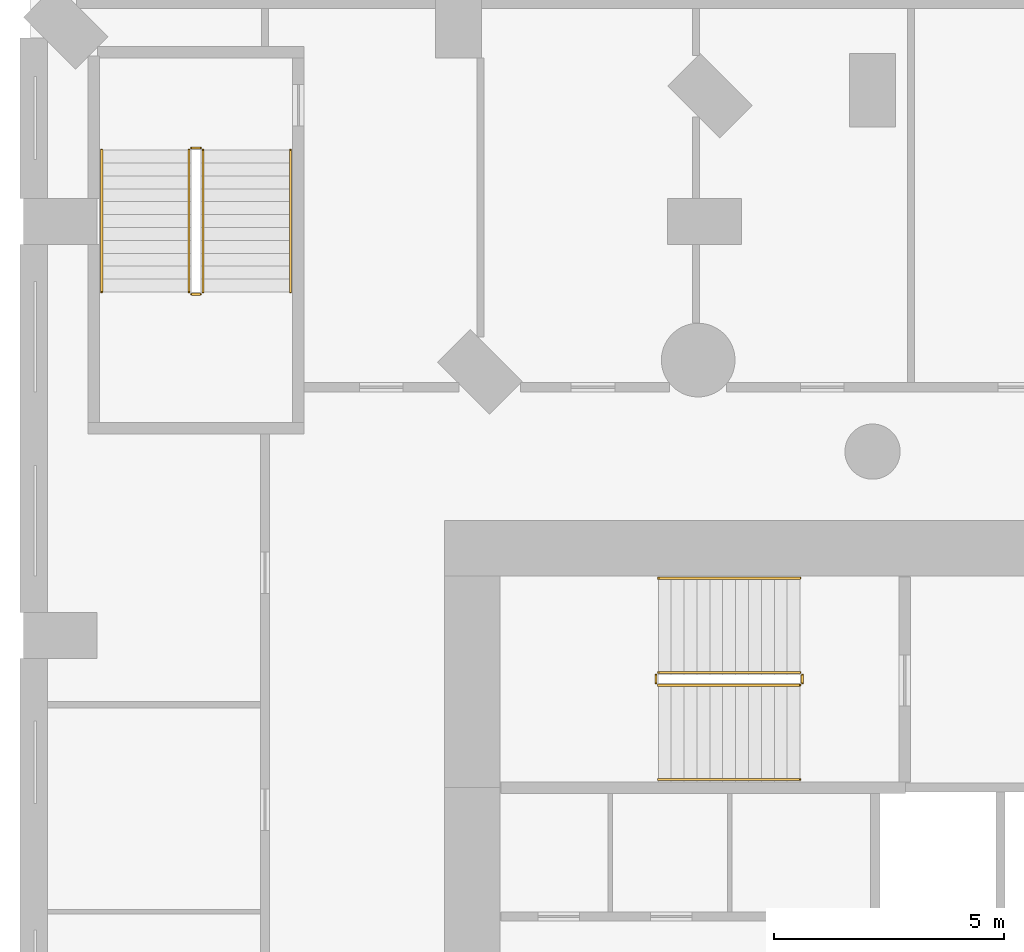
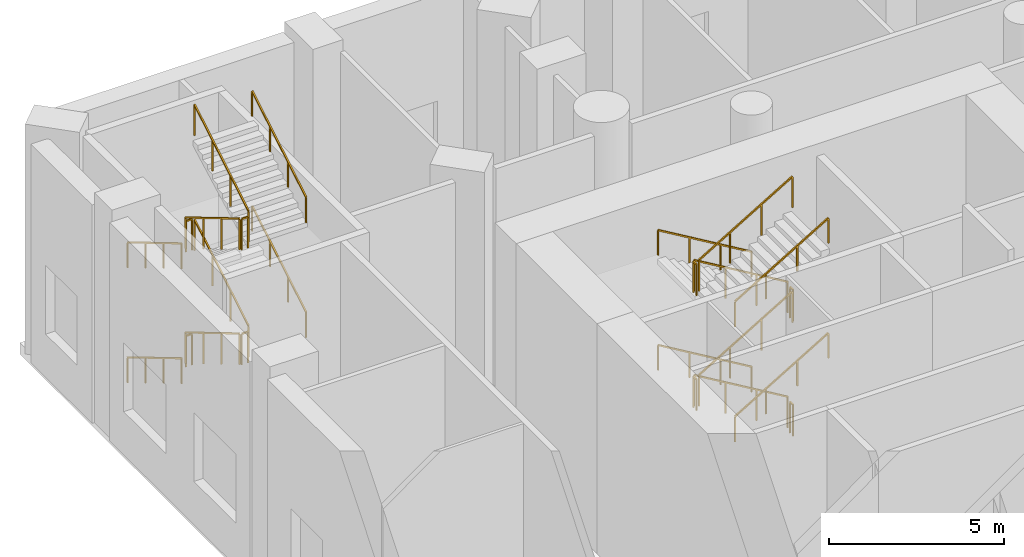
# One storey, part 17 of 18: 24 railings.
"""IFC4 building model written with IfcOpenShell, lengths in metres."""

from ifc_helpers import new_model, si_unit, direction, frame, origin, origin_2d, place, context, subcontext, project, spatial, rectangle, extrude, material, type_object, element, save


model = new_model("IFC4")

# Units and contexts
model_context = context("Model", 3, precision=1e-05, world=origin(), true_north=direction((0.0, 1.0)))
body_context = subcontext(model_context, "Body", "Model", "MODEL_VIEW")
ifc_project = project(units=[si_unit("LENGTHUNIT", "METRE"), si_unit("AREAUNIT", "SQUARE_METRE"), si_unit("VOLUMEUNIT", "CUBIC_METRE"), si_unit("PLANEANGLEUNIT", "RADIAN"), si_unit("MASSUNIT", "GRAM", prefix="KILO")], contexts=[model_context])

# Site, building, storey
site_placement = place(None, origin())
site = spatial("IfcSite", under=ifc_project, at=site_placement, CompositionType="ELEMENT")
building_placement = place(site_placement, origin())
building = spatial("IfcBuilding", under=site, at=building_placement, Name="Cypress Arch Tower", CompositionType="ELEMENT")
storey_placement = place(building_placement, frame((0.0, 0.0, 36.0)))
storey = spatial("IfcBuildingStorey", under=building, at=storey_placement, Name="L04", CompositionType="ELEMENT", Elevation=36.0)

# Railings
ifc_material_1 = material(Name="Black powder-coated steel square bar 48 mm", Category="steel")
railing_type_1 = type_object("IfcRailingType", Name="Stair handrail HR1", PredefinedType="HANDRAIL", material=ifc_material_1)
railing_1_placement = place(storey_placement, frame((-22.27490234375, 14.75, 0.166748046875)))
element("IfcRailing", 1, at=railing_1_placement, inside=storey, type_object=railing_type_1, Name="L04 B stair handrail 1", PredefinedType="HANDRAIL", context=body_context, shape_type="SweptSolid", body=[
    extrude(rectangle(XDim=0.048095703125, YDim=0.048095703125, at=origin_2d()), frame((0.0, 0.0, 0.8759765625), z_axis=(-0.859308565015, 0.0, 0.511457515432), x_axis=(0.0, -1.0, 0.0)), (0.0, 0.0, 1.0), 3.58447265625),
    extrude(rectangle(XDim=0.0419921875, YDim=0.0419921875, at=origin_2d()), origin(), (0.0, 0.0, 1.0), 0.851806640625),
    extrude(rectangle(XDim=0.0419921875, YDim=0.0419921875, at=origin_2d()), frame((-1.026611328125, 0.0, 0.611083984375)), (0.0, 0.0, 1.0), 0.851806640625),
    extrude(rectangle(XDim=0.0419921875, YDim=0.0419921875, at=origin_2d()), frame((-2.053466796875, 0.0, 1.22216796875)), (0.0, 0.0, 1.0), 0.851806640625),
    extrude(rectangle(XDim=0.0419921875, YDim=0.0419921875, at=origin_2d()), frame((-3.080078125, 0.0, 1.833251953125)), (0.0, 0.0, 1.0), 0.851806640625),
])
railing_2_placement = place(storey_placement, frame((-25.35498046875, 10.375, 2.166748046875)))
element("IfcRailing", 2, at=railing_2_placement, inside=storey, type_object=railing_type_1, Name="L04 B stair handrail 2", PredefinedType="HANDRAIL", context=body_context, shape_type="SweptSolid", body=[
    extrude(rectangle(XDim=0.048095703125, YDim=0.048095703125, at=origin_2d()), frame((0.0, 0.0, 0.8759765625), z_axis=(0.859308565015, 0.0, 0.511457515432), x_axis=(0.0, 1.0, 0.0)), (0.0, 0.0, 1.0), 3.58447265625),
    extrude(rectangle(XDim=0.0419921875, YDim=0.0419921875, at=origin_2d()), origin(), (0.0, 0.0, 1.0), 0.851806640625),
    extrude(rectangle(XDim=0.0419921875, YDim=0.0419921875, at=origin_2d()), frame((1.026611328125, 0.0, 0.611083984375)), (0.0, 0.0, 1.0), 0.851806640625),
    extrude(rectangle(XDim=0.0419921875, YDim=0.0419921875, at=origin_2d()), frame((2.053466796875, 0.0, 1.22216796875)), (0.0, 0.0, 1.0), 0.851806640625),
    extrude(rectangle(XDim=0.0419921875, YDim=0.0419921875, at=origin_2d()), frame((3.080078125, 0.0, 1.833251953125)), (0.0, 0.0, 1.0), 0.851806640625),
])
railing_3_placement = place(storey_placement, frame((-22.27490234375, 14.75, 4.166748046875)))
element("IfcRailing", 3, at=railing_3_placement, inside=storey, type_object=railing_type_1, Name="L04 B stair handrail 3", PredefinedType="HANDRAIL", context=body_context, shape_type="SweptSolid", body=[
    extrude(rectangle(XDim=0.048095703125, YDim=0.048095703125, at=origin_2d()), frame((0.0, 0.0, 0.8759765625), z_axis=(-0.859308565015, 0.0, 0.511457515432), x_axis=(0.0, -1.0, 0.0)), (0.0, 0.0, 1.0), 3.58447265625),
    extrude(rectangle(XDim=0.0419921875, YDim=0.0419921875, at=origin_2d()), origin(), (0.0, 0.0, 1.0), 0.851806640625),
    extrude(rectangle(XDim=0.0419921875, YDim=0.0419921875, at=origin_2d()), frame((-1.026611328125, 0.0, 0.611083984375)), (0.0, 0.0, 1.0), 0.851806640625),
    extrude(rectangle(XDim=0.0419921875, YDim=0.0419921875, at=origin_2d()), frame((-2.053466796875, 0.0, 1.22216796875)), (0.0, 0.0, 1.0), 0.851806640625),
    extrude(rectangle(XDim=0.0419921875, YDim=0.0419921875, at=origin_2d()), frame((-3.080078125, 0.0, 1.833251953125)), (0.0, 0.0, 1.0), 0.851806640625),
])
railing_4_placement = place(storey_placement, frame((-25.35498046875, 10.375, 6.166748046875)))
element("IfcRailing", 4, at=railing_4_placement, inside=storey, type_object=railing_type_1, Name="L04 B stair handrail 4", PredefinedType="HANDRAIL", context=body_context, shape_type="SweptSolid", body=[
    extrude(rectangle(XDim=0.048095703125, YDim=0.048095703125, at=origin_2d()), frame((0.0, 0.0, 0.8759765625), z_axis=(0.859308565015, 0.0, 0.511457515432), x_axis=(0.0, 1.0, 0.0)), (0.0, 0.0, 1.0), 3.58447265625),
    extrude(rectangle(XDim=0.0419921875, YDim=0.0419921875, at=origin_2d()), origin(), (0.0, 0.0, 1.0), 0.851806640625),
    extrude(rectangle(XDim=0.0419921875, YDim=0.0419921875, at=origin_2d()), frame((1.026611328125, 0.0, 0.611083984375)), (0.0, 0.0, 1.0), 0.851806640625),
    extrude(rectangle(XDim=0.0419921875, YDim=0.0419921875, at=origin_2d()), frame((2.053466796875, 0.0, 1.22216796875)), (0.0, 0.0, 1.0), 0.851806640625),
    extrude(rectangle(XDim=0.0419921875, YDim=0.0419921875, at=origin_2d()), frame((3.080078125, 0.0, 1.833251953125)), (0.0, 0.0, 1.0), 0.851806640625),
])
railing_5_placement = place(storey_placement, frame((-37.449951171875, 24.050048828125, 0.166748046875)))
element("IfcRailing", 5, at=railing_5_placement, inside=storey, type_object=railing_type_1, Name="L04 P2 stair handrail 1", PredefinedType="HANDRAIL", context=body_context, shape_type="SweptSolid", body=[
    extrude(rectangle(XDim=0.048095703125, YDim=0.048095703125, at=origin_2d()), frame((0.0, 0.0, 0.8759765625), z_axis=(0.0, -0.859308565015, 0.511457515432), x_axis=(1.0, 0.0, 0.0)), (0.0, 0.0, 1.0), 3.58447265625),
    extrude(rectangle(XDim=0.0419921875, YDim=0.0419921875, at=origin_2d()), origin(), (0.0, 0.0, 1.0), 0.851806640625),
    extrude(rectangle(XDim=0.0419921875, YDim=0.0419921875, at=origin_2d()), frame((0.0, -1.026611328125, 0.611083984375)), (0.0, 0.0, 1.0), 0.851806640625),
    extrude(rectangle(XDim=0.0419921875, YDim=0.0419921875, at=origin_2d()), frame((0.0, -2.053466796875, 1.22216796875)), (0.0, 0.0, 1.0), 0.851806640625),
    extrude(rectangle(XDim=0.0419921875, YDim=0.0419921875, at=origin_2d()), frame((0.0, -3.080078125, 1.833251953125)), (0.0, 0.0, 1.0), 0.851806640625),
])
railing_6_placement = place(storey_placement, frame((-33.35009765625, 20.969970703125, 2.166748046875)))
element("IfcRailing", 6, at=railing_6_placement, inside=storey, type_object=railing_type_1, Name="L04 P2 stair handrail 2", PredefinedType="HANDRAIL", context=body_context, shape_type="SweptSolid", body=[
    extrude(rectangle(XDim=0.048095703125, YDim=0.048095703125, at=origin_2d()), frame((0.0, 0.0, 0.8759765625), z_axis=(0.0, 0.859308565015, 0.511457515432), x_axis=(-1.0, 0.0, 0.0)), (0.0, 0.0, 1.0), 3.58447265625),
    extrude(rectangle(XDim=0.0419921875, YDim=0.0419921875, at=origin_2d()), origin(), (0.0, 0.0, 1.0), 0.851806640625),
    extrude(rectangle(XDim=0.0419921875, YDim=0.0419921875, at=origin_2d()), frame((0.0, 1.026611328125, 0.611083984375)), (0.0, 0.0, 1.0), 0.851806640625),
    extrude(rectangle(XDim=0.0419921875, YDim=0.0419921875, at=origin_2d()), frame((0.0, 2.053466796875, 1.22216796875)), (0.0, 0.0, 1.0), 0.851806640625),
    extrude(rectangle(XDim=0.0419921875, YDim=0.0419921875, at=origin_2d()), frame((0.0, 3.080078125, 1.833251953125)), (0.0, 0.0, 1.0), 0.851806640625),
])
railing_7_placement = place(storey_placement, frame((-37.449951171875, 24.050048828125, 4.166748046875)))
element("IfcRailing", 7, at=railing_7_placement, inside=storey, type_object=railing_type_1, Name="L04 P2 stair handrail 3", PredefinedType="HANDRAIL", context=body_context, shape_type="SweptSolid", body=[
    extrude(rectangle(XDim=0.048095703125, YDim=0.048095703125, at=origin_2d()), frame((0.0, 0.0, 0.8759765625), z_axis=(0.0, -0.859308565015, 0.511457515432), x_axis=(1.0, 0.0, 0.0)), (0.0, 0.0, 1.0), 3.58447265625),
    extrude(rectangle(XDim=0.0419921875, YDim=0.0419921875, at=origin_2d()), origin(), (0.0, 0.0, 1.0), 0.851806640625),
    extrude(rectangle(XDim=0.0419921875, YDim=0.0419921875, at=origin_2d()), frame((0.0, -1.026611328125, 0.611083984375)), (0.0, 0.0, 1.0), 0.851806640625),
    extrude(rectangle(XDim=0.0419921875, YDim=0.0419921875, at=origin_2d()), frame((0.0, -2.053466796875, 1.22216796875)), (0.0, 0.0, 1.0), 0.851806640625),
    extrude(rectangle(XDim=0.0419921875, YDim=0.0419921875, at=origin_2d()), frame((0.0, -3.080078125, 1.833251953125)), (0.0, 0.0, 1.0), 0.851806640625),
])
railing_8_placement = place(storey_placement, frame((-33.35009765625, 20.969970703125, 6.166748046875)))
element("IfcRailing", 8, at=railing_8_placement, inside=storey, type_object=railing_type_1, Name="L04 P2 stair handrail 4", PredefinedType="HANDRAIL", context=body_context, shape_type="SweptSolid", body=[
    extrude(rectangle(XDim=0.048095703125, YDim=0.048095703125, at=origin_2d()), frame((0.0, 0.0, 0.8759765625), z_axis=(0.0, 0.859308565015, 0.511457515432), x_axis=(-1.0, 0.0, 0.0)), (0.0, 0.0, 1.0), 3.58447265625),
    extrude(rectangle(XDim=0.0419921875, YDim=0.0419921875, at=origin_2d()), origin(), (0.0, 0.0, 1.0), 0.851806640625),
    extrude(rectangle(XDim=0.0419921875, YDim=0.0419921875, at=origin_2d()), frame((0.0, 1.026611328125, 0.611083984375)), (0.0, 0.0, 1.0), 0.851806640625),
    extrude(rectangle(XDim=0.0419921875, YDim=0.0419921875, at=origin_2d()), frame((0.0, 2.053466796875, 1.22216796875)), (0.0, 0.0, 1.0), 0.851806640625),
    extrude(rectangle(XDim=0.0419921875, YDim=0.0419921875, at=origin_2d()), frame((0.0, 3.080078125, 1.833251953125)), (0.0, 0.0, 1.0), 0.851806640625),
])
ifc_material_2 = material(Name="Black powder-coated steel balusters", Category="steel")
railing_type_2 = type_object("IfcRailingType", Name="Stair well guard G1", PredefinedType="GUARDRAIL", material=ifc_material_2)
railing_9_placement = place(storey_placement, frame((-22.27490234375, 12.699951171875, 0.166748046875)))
element("IfcRailing", 9, at=railing_9_placement, inside=storey, type_object=railing_type_2, Name="L04 B stair guard 1", PredefinedType="GUARDRAIL", context=body_context, shape_type="SweptSolid", body=[
    extrude(rectangle(XDim=0.048095703125, YDim=0.048095703125, at=origin_2d()), frame((0.0, 0.0, 1.076171875), z_axis=(-0.859308565015, 0.0, 0.511457515432), x_axis=(0.0, -1.0, 0.0)), (0.0, 0.0, 1.0), 3.58447265625),
    extrude(rectangle(XDim=0.0419921875, YDim=0.0419921875, at=origin_2d()), origin(), (0.0, 0.0, 1.0), 1.052001953125),
    extrude(rectangle(XDim=0.0419921875, YDim=0.0419921875, at=origin_2d()), frame((-1.026611328125, 0.0, 0.611083984375)), (0.0, 0.0, 1.0), 1.052001953125),
    extrude(rectangle(XDim=0.0419921875, YDim=0.0419921875, at=origin_2d()), frame((-2.053466796875, 0.0, 1.22216796875)), (0.0, 0.0, 1.0), 1.052001953125),
    extrude(rectangle(XDim=0.0419921875, YDim=0.0419921875, at=origin_2d()), frame((-3.080078125, 0.0, 1.833251953125)), (0.0, 0.0, 1.0), 1.052001953125),
])
railing_10_placement = place(storey_placement, frame((-25.405029296875, 12.64990234375, 2.0)))
element("IfcRailing", 10, at=railing_10_placement, inside=storey, type_object=railing_type_2, Name="L04 B stair guard 2", PredefinedType="GUARDRAIL", context=body_context, shape_type="SweptSolid", body=[
    extrude(rectangle(XDim=0.048095703125, YDim=0.048095703125, at=origin_2d()), frame((0.0, 0.0, 1.076171875), z_axis=(0.0, -1.0, 0.0), x_axis=(1.0, 0.0, 0.0)), (0.0, 0.0, 1.0), 0.1748046875),
    extrude(rectangle(XDim=0.0419921875, YDim=0.0419921875, at=origin_2d()), origin(), (0.0, 0.0, 1.0), 1.052001953125),
    extrude(rectangle(XDim=0.0419921875, YDim=0.0419921875, at=origin_2d()), frame((0.0, -0.1748046875, 0.0)), (0.0, 0.0, 1.0), 1.052001953125),
])
railing_11_placement = place(storey_placement, frame((-25.35498046875, 12.425048828125, 2.166748046875)))
element("IfcRailing", 11, at=railing_11_placement, inside=storey, type_object=railing_type_2, Name="L04 B stair guard 3", PredefinedType="GUARDRAIL", context=body_context, shape_type="SweptSolid", body=[
    extrude(rectangle(XDim=0.048095703125, YDim=0.048095703125, at=origin_2d()), frame((0.0, 0.0, 1.076171875), z_axis=(0.859308565015, 0.0, 0.511457515432), x_axis=(0.0, 1.0, 0.0)), (0.0, 0.0, 1.0), 3.58447265625),
    extrude(rectangle(XDim=0.0419921875, YDim=0.0419921875, at=origin_2d()), origin(), (0.0, 0.0, 1.0), 1.052001953125),
    extrude(rectangle(XDim=0.0419921875, YDim=0.0419921875, at=origin_2d()), frame((1.026611328125, 0.0, 0.611083984375)), (0.0, 0.0, 1.0), 1.052001953125),
    extrude(rectangle(XDim=0.0419921875, YDim=0.0419921875, at=origin_2d()), frame((2.053466796875, 0.0, 1.22216796875)), (0.0, 0.0, 1.0), 1.052001953125),
    extrude(rectangle(XDim=0.0419921875, YDim=0.0419921875, at=origin_2d()), frame((3.080078125, 0.0, 1.833251953125)), (0.0, 0.0, 1.0), 1.052001953125),
])
railing_12_placement = place(storey_placement, frame((-22.22509765625, 12.64990234375, 4.0)))
element("IfcRailing", 12, at=railing_12_placement, inside=storey, type_object=railing_type_2, Name="L04 B stair guard 4", PredefinedType="GUARDRAIL", context=body_context, shape_type="SweptSolid", body=[
    extrude(rectangle(XDim=0.048095703125, YDim=0.048095703125, at=origin_2d()), frame((0.0, 0.0, 1.076171875), z_axis=(0.0, -1.0, 0.0), x_axis=(1.0, 0.0, 0.0)), (0.0, 0.0, 1.0), 0.1748046875),
    extrude(rectangle(XDim=0.0419921875, YDim=0.0419921875, at=origin_2d()), origin(), (0.0, 0.0, 1.0), 1.052001953125),
    extrude(rectangle(XDim=0.0419921875, YDim=0.0419921875, at=origin_2d()), frame((0.0, -0.1748046875, 0.0)), (0.0, 0.0, 1.0), 1.052001953125),
])
railing_13_placement = place(storey_placement, frame((-22.27490234375, 12.699951171875, 4.166748046875)))
element("IfcRailing", 13, at=railing_13_placement, inside=storey, type_object=railing_type_2, Name="L04 B stair guard 5", PredefinedType="GUARDRAIL", context=body_context, shape_type="SweptSolid", body=[
    extrude(rectangle(XDim=0.048095703125, YDim=0.048095703125, at=origin_2d()), frame((0.0, 0.0, 1.076171875), z_axis=(-0.859308565015, 0.0, 0.511457515432), x_axis=(0.0, -1.0, 0.0)), (0.0, 0.0, 1.0), 3.58447265625),
    extrude(rectangle(XDim=0.0419921875, YDim=0.0419921875, at=origin_2d()), origin(), (0.0, 0.0, 1.0), 1.052001953125),
    extrude(rectangle(XDim=0.0419921875, YDim=0.0419921875, at=origin_2d()), frame((-1.026611328125, 0.0, 0.611083984375)), (0.0, 0.0, 1.0), 1.052001953125),
    extrude(rectangle(XDim=0.0419921875, YDim=0.0419921875, at=origin_2d()), frame((-2.053466796875, 0.0, 1.22216796875)), (0.0, 0.0, 1.0), 1.052001953125),
    extrude(rectangle(XDim=0.0419921875, YDim=0.0419921875, at=origin_2d()), frame((-3.080078125, 0.0, 1.833251953125)), (0.0, 0.0, 1.0), 1.052001953125),
])
railing_14_placement = place(storey_placement, frame((-25.405029296875, 12.64990234375, 6.0)))
element("IfcRailing", 14, at=railing_14_placement, inside=storey, type_object=railing_type_2, Name="L04 B stair guard 6", PredefinedType="GUARDRAIL", context=body_context, shape_type="SweptSolid", body=[
    extrude(rectangle(XDim=0.048095703125, YDim=0.048095703125, at=origin_2d()), frame((0.0, 0.0, 1.076171875), z_axis=(0.0, -1.0, 0.0), x_axis=(1.0, 0.0, 0.0)), (0.0, 0.0, 1.0), 0.1748046875),
    extrude(rectangle(XDim=0.0419921875, YDim=0.0419921875, at=origin_2d()), origin(), (0.0, 0.0, 1.0), 1.052001953125),
    extrude(rectangle(XDim=0.0419921875, YDim=0.0419921875, at=origin_2d()), frame((0.0, -0.1748046875, 0.0)), (0.0, 0.0, 1.0), 1.052001953125),
])
railing_15_placement = place(storey_placement, frame((-25.35498046875, 12.425048828125, 6.166748046875)))
element("IfcRailing", 15, at=railing_15_placement, inside=storey, type_object=railing_type_2, Name="L04 B stair guard 7", PredefinedType="GUARDRAIL", context=body_context, shape_type="SweptSolid", body=[
    extrude(rectangle(XDim=0.048095703125, YDim=0.048095703125, at=origin_2d()), frame((0.0, 0.0, 1.076171875), z_axis=(0.859308565015, 0.0, 0.511457515432), x_axis=(0.0, 1.0, 0.0)), (0.0, 0.0, 1.0), 3.58447265625),
    extrude(rectangle(XDim=0.0419921875, YDim=0.0419921875, at=origin_2d()), origin(), (0.0, 0.0, 1.0), 1.052001953125),
    extrude(rectangle(XDim=0.0419921875, YDim=0.0419921875, at=origin_2d()), frame((1.026611328125, 0.0, 0.611083984375)), (0.0, 0.0, 1.0), 1.052001953125),
    extrude(rectangle(XDim=0.0419921875, YDim=0.0419921875, at=origin_2d()), frame((2.053466796875, 0.0, 1.22216796875)), (0.0, 0.0, 1.0), 1.052001953125),
    extrude(rectangle(XDim=0.0419921875, YDim=0.0419921875, at=origin_2d()), frame((3.080078125, 0.0, 1.833251953125)), (0.0, 0.0, 1.0), 1.052001953125),
])
railing_16_placement = place(storey_placement, frame((-22.22509765625, 12.64990234375, 0.0)))
element("IfcRailing", 16, at=railing_16_placement, inside=storey, type_object=railing_type_2, Name="L04 B stair guard 8", PredefinedType="GUARDRAIL", context=body_context, shape_type="SweptSolid", body=[
    extrude(rectangle(XDim=0.048095703125, YDim=0.048095703125, at=origin_2d()), frame((0.0, 0.0, 1.076171875), z_axis=(0.0, -1.0, 0.0), x_axis=(1.0, 0.0, 0.0)), (0.0, 0.0, 1.0), 0.1748046875),
    extrude(rectangle(XDim=0.0419921875, YDim=0.0419921875, at=origin_2d()), origin(), (0.0, 0.0, 1.0), 1.052001953125),
    extrude(rectangle(XDim=0.0419921875, YDim=0.0419921875, at=origin_2d()), frame((0.0, -0.1748046875, 0.0)), (0.0, 0.0, 1.0), 1.052001953125),
])
railing_17_placement = place(storey_placement, frame((-35.550048828125, 24.050048828125, 0.166748046875)))
element("IfcRailing", 17, at=railing_17_placement, inside=storey, type_object=railing_type_2, Name="L04 P2 stair guard 1", PredefinedType="GUARDRAIL", context=body_context, shape_type="SweptSolid", body=[
    extrude(rectangle(XDim=0.048095703125, YDim=0.048095703125, at=origin_2d()), frame((0.0, 0.0, 1.076171875), z_axis=(0.0, -0.859308565015, 0.511457515432), x_axis=(1.0, 0.0, 0.0)), (0.0, 0.0, 1.0), 3.58447265625),
    extrude(rectangle(XDim=0.0419921875, YDim=0.0419921875, at=origin_2d()), origin(), (0.0, 0.0, 1.0), 1.052001953125),
    extrude(rectangle(XDim=0.0419921875, YDim=0.0419921875, at=origin_2d()), frame((0.0, -1.026611328125, 0.611083984375)), (0.0, 0.0, 1.0), 1.052001953125),
    extrude(rectangle(XDim=0.0419921875, YDim=0.0419921875, at=origin_2d()), frame((0.0, -2.053466796875, 1.22216796875)), (0.0, 0.0, 1.0), 1.052001953125),
    extrude(rectangle(XDim=0.0419921875, YDim=0.0419921875, at=origin_2d()), frame((0.0, -3.080078125, 1.833251953125)), (0.0, 0.0, 1.0), 1.052001953125),
])
railing_18_placement = place(storey_placement, frame((-35.5, 20.919921875, 2.0)))
element("IfcRailing", 18, at=railing_18_placement, inside=storey, type_object=railing_type_2, Name="L04 P2 stair guard 2", PredefinedType="GUARDRAIL", context=body_context, shape_type="SweptSolid", body=[
    extrude(rectangle(XDim=0.048095703125, YDim=0.048095703125, at=origin_2d()), frame((0.0, 0.0, 1.076171875), z_axis=(1.0, 0.0, 0.0), x_axis=(0.0, 1.0, 0.0)), (0.0, 0.0, 1.0), 0.199951171875),
    extrude(rectangle(XDim=0.0419921875, YDim=0.0419921875, at=origin_2d()), origin(), (0.0, 0.0, 1.0), 1.052001953125),
    extrude(rectangle(XDim=0.0419921875, YDim=0.0419921875, at=origin_2d()), frame((0.199951171875, 0.0, 0.0)), (0.0, 0.0, 1.0), 1.052001953125),
])
railing_19_placement = place(storey_placement, frame((-35.25, 20.969970703125, 2.166748046875)))
element("IfcRailing", 19, at=railing_19_placement, inside=storey, type_object=railing_type_2, Name="L04 P2 stair guard 3", PredefinedType="GUARDRAIL", context=body_context, shape_type="SweptSolid", body=[
    extrude(rectangle(XDim=0.048095703125, YDim=0.048095703125, at=origin_2d()), frame((0.0, 0.0, 1.076171875), z_axis=(0.0, 0.859308565015, 0.511457515432), x_axis=(-1.0, 0.0, 0.0)), (0.0, 0.0, 1.0), 3.58447265625),
    extrude(rectangle(XDim=0.0419921875, YDim=0.0419921875, at=origin_2d()), origin(), (0.0, 0.0, 1.0), 1.052001953125),
    extrude(rectangle(XDim=0.0419921875, YDim=0.0419921875, at=origin_2d()), frame((0.0, 1.026611328125, 0.611083984375)), (0.0, 0.0, 1.0), 1.052001953125),
    extrude(rectangle(XDim=0.0419921875, YDim=0.0419921875, at=origin_2d()), frame((0.0, 2.053466796875, 1.22216796875)), (0.0, 0.0, 1.0), 1.052001953125),
    extrude(rectangle(XDim=0.0419921875, YDim=0.0419921875, at=origin_2d()), frame((0.0, 3.080078125, 1.833251953125)), (0.0, 0.0, 1.0), 1.052001953125),
])
railing_20_placement = place(storey_placement, frame((-35.5, 24.10009765625, 4.0)))
element("IfcRailing", 20, at=railing_20_placement, inside=storey, type_object=railing_type_2, Name="L04 P2 stair guard 4", PredefinedType="GUARDRAIL", context=body_context, shape_type="SweptSolid", body=[
    extrude(rectangle(XDim=0.048095703125, YDim=0.048095703125, at=origin_2d()), frame((0.0, 0.0, 1.076171875), z_axis=(1.0, 0.0, 0.0), x_axis=(0.0, 1.0, 0.0)), (0.0, 0.0, 1.0), 0.199951171875),
    extrude(rectangle(XDim=0.0419921875, YDim=0.0419921875, at=origin_2d()), origin(), (0.0, 0.0, 1.0), 1.052001953125),
    extrude(rectangle(XDim=0.0419921875, YDim=0.0419921875, at=origin_2d()), frame((0.199951171875, 0.0, 0.0)), (0.0, 0.0, 1.0), 1.052001953125),
])
railing_21_placement = place(storey_placement, frame((-35.550048828125, 24.050048828125, 4.166748046875)))
element("IfcRailing", 21, at=railing_21_placement, inside=storey, type_object=railing_type_2, Name="L04 P2 stair guard 5", PredefinedType="GUARDRAIL", context=body_context, shape_type="SweptSolid", body=[
    extrude(rectangle(XDim=0.048095703125, YDim=0.048095703125, at=origin_2d()), frame((0.0, 0.0, 1.076171875), z_axis=(0.0, -0.859308565015, 0.511457515432), x_axis=(1.0, 0.0, 0.0)), (0.0, 0.0, 1.0), 3.58447265625),
    extrude(rectangle(XDim=0.0419921875, YDim=0.0419921875, at=origin_2d()), origin(), (0.0, 0.0, 1.0), 1.052001953125),
    extrude(rectangle(XDim=0.0419921875, YDim=0.0419921875, at=origin_2d()), frame((0.0, -1.026611328125, 0.611083984375)), (0.0, 0.0, 1.0), 1.052001953125),
    extrude(rectangle(XDim=0.0419921875, YDim=0.0419921875, at=origin_2d()), frame((0.0, -2.053466796875, 1.22216796875)), (0.0, 0.0, 1.0), 1.052001953125),
    extrude(rectangle(XDim=0.0419921875, YDim=0.0419921875, at=origin_2d()), frame((0.0, -3.080078125, 1.833251953125)), (0.0, 0.0, 1.0), 1.052001953125),
])
railing_22_placement = place(storey_placement, frame((-35.5, 20.919921875, 6.0)))
element("IfcRailing", 22, at=railing_22_placement, inside=storey, type_object=railing_type_2, Name="L04 P2 stair guard 6", PredefinedType="GUARDRAIL", context=body_context, shape_type="SweptSolid", body=[
    extrude(rectangle(XDim=0.048095703125, YDim=0.048095703125, at=origin_2d()), frame((0.0, 0.0, 1.076171875), z_axis=(1.0, 0.0, 0.0), x_axis=(0.0, 1.0, 0.0)), (0.0, 0.0, 1.0), 0.199951171875),
    extrude(rectangle(XDim=0.0419921875, YDim=0.0419921875, at=origin_2d()), origin(), (0.0, 0.0, 1.0), 1.052001953125),
    extrude(rectangle(XDim=0.0419921875, YDim=0.0419921875, at=origin_2d()), frame((0.199951171875, 0.0, 0.0)), (0.0, 0.0, 1.0), 1.052001953125),
])
railing_23_placement = place(storey_placement, frame((-35.25, 20.969970703125, 6.166748046875)))
element("IfcRailing", 23, at=railing_23_placement, inside=storey, type_object=railing_type_2, Name="L04 P2 stair guard 7", PredefinedType="GUARDRAIL", context=body_context, shape_type="SweptSolid", body=[
    extrude(rectangle(XDim=0.048095703125, YDim=0.048095703125, at=origin_2d()), frame((0.0, 0.0, 1.076171875), z_axis=(0.0, 0.859308565015, 0.511457515432), x_axis=(-1.0, 0.0, 0.0)), (0.0, 0.0, 1.0), 3.58447265625),
    extrude(rectangle(XDim=0.0419921875, YDim=0.0419921875, at=origin_2d()), origin(), (0.0, 0.0, 1.0), 1.052001953125),
    extrude(rectangle(XDim=0.0419921875, YDim=0.0419921875, at=origin_2d()), frame((0.0, 1.026611328125, 0.611083984375)), (0.0, 0.0, 1.0), 1.052001953125),
    extrude(rectangle(XDim=0.0419921875, YDim=0.0419921875, at=origin_2d()), frame((0.0, 2.053466796875, 1.22216796875)), (0.0, 0.0, 1.0), 1.052001953125),
    extrude(rectangle(XDim=0.0419921875, YDim=0.0419921875, at=origin_2d()), frame((0.0, 3.080078125, 1.833251953125)), (0.0, 0.0, 1.0), 1.052001953125),
])
railing_24_placement = place(storey_placement, frame((-35.5, 24.10009765625, 0.0)))
element("IfcRailing", 24, at=railing_24_placement, inside=storey, type_object=railing_type_2, Name="L04 P2 stair guard 8", PredefinedType="GUARDRAIL", context=body_context, shape_type="SweptSolid", body=[
    extrude(rectangle(XDim=0.048095703125, YDim=0.048095703125, at=origin_2d()), frame((0.0, 0.0, 1.076171875), z_axis=(1.0, 0.0, 0.0), x_axis=(0.0, 1.0, 0.0)), (0.0, 0.0, 1.0), 0.199951171875),
    extrude(rectangle(XDim=0.0419921875, YDim=0.0419921875, at=origin_2d()), origin(), (0.0, 0.0, 1.0), 1.052001953125),
    extrude(rectangle(XDim=0.0419921875, YDim=0.0419921875, at=origin_2d()), frame((0.199951171875, 0.0, 0.0)), (0.0, 0.0, 1.0), 1.052001953125),
])

save(model, "model.ifc")
